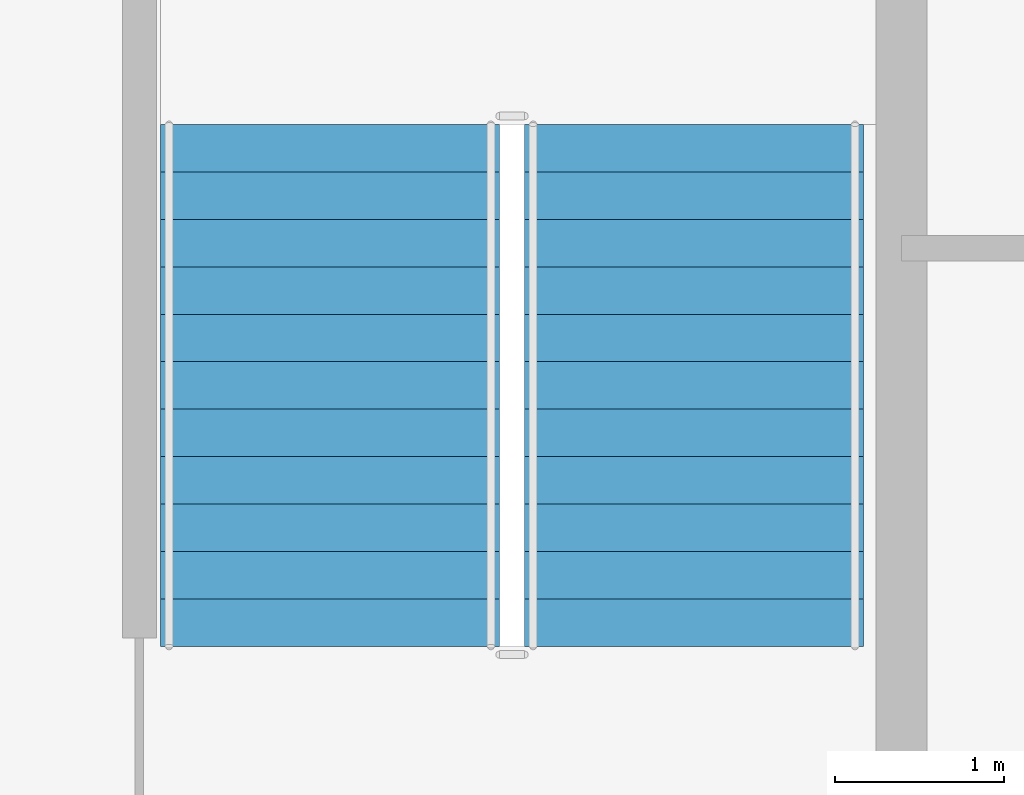
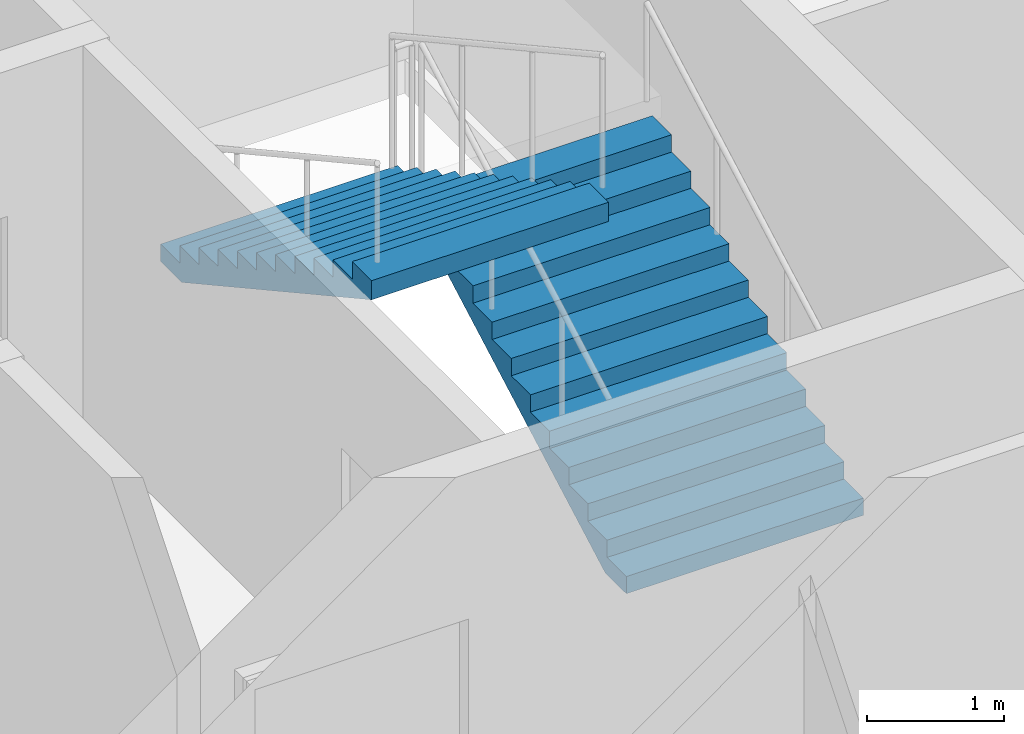
# One storey, part 12 of 19: 2 stair flights, 1 element without a shape of its own.
"""IFC4 building model written with IfcOpenShell, lengths in metres."""

from ifc_helpers import new_model, si_unit, direction, frame, origin, place, context, subcontext, project, spatial, polygons, material, type_object, element, aggregate, save


model = new_model("IFC4")

# Units and contexts
model_context = context("Model", 3, precision=1e-05, world=origin(), true_north=direction((0.0, 1.0)))
body_context = subcontext(model_context, "Body", "Model", "MODEL_VIEW")
ifc_project = project(units=[si_unit("LENGTHUNIT", "METRE"), si_unit("AREAUNIT", "SQUARE_METRE"), si_unit("VOLUMEUNIT", "CUBIC_METRE"), si_unit("PLANEANGLEUNIT", "RADIAN"), si_unit("MASSUNIT", "GRAM", prefix="KILO")], contexts=[model_context])

# Site, building, storey
site_placement = place(None, origin())
site = spatial("IfcSite", under=ifc_project, at=site_placement, CompositionType="ELEMENT")
building_placement = place(site_placement, origin())
building = spatial("IfcBuilding", under=site, at=building_placement, Name="Caravel Reach Hotel and Residences", CompositionType="ELEMENT")
storey_placement = place(building_placement, frame((0.0, 0.0, 150.60009765625)))
storey = spatial("IfcBuildingStorey", under=building, at=storey_placement, Name="L37", CompositionType="ELEMENT", Elevation=150.60009765625)

# Stair, stair flights
ifc_material_1 = material(Name="Concrete C40", Category="concrete")
stair_type = type_object("IfcStairType", Name="Core stair", PredefinedType="HALF_TURN_STAIR", material=ifc_material_1)
stair_placement = place(storey_placement, origin())
stair = element("IfcStair", 1, at=stair_placement, inside=storey, type_object=stair_type, Name="L37 Exit stair B", PredefinedType="HALF_TURN_STAIR")
ifc_material_2 = material(Name="Concrete C40", Category="concrete")
stair_flight_type = type_object("IfcStairFlightType", Name="Core stair flight", PredefinedType="STRAIGHT", material=ifc_material_2)
stair_flight_1_placement = place(storey_placement, frame((43.77490234375, 24.64990234375, 0.0), z_axis=(0.0, 0.0, 1.0), x_axis=(0.0, 1.0, 0.0)))
stair_flight_1 = element("IfcStairFlight", 2, at=stair_flight_1_placement, type_object=stair_flight_type, Name="ST-B flight 1", NumberOfRisers=12, NumberOfTreads=11, PredefinedType="STRAIGHT", RiserHeight=0.154166667, TreadLength=0.28, context=body_context, shape_type="Tessellation", body=[
    polygons([(0.3107950034306102, 1.0, 0.0), (0.3107950034306102, 0.6666666666666667, 0.0), (0.3107950034306102, 0.33333333333333337, 0.0), (0.3107950034306102, 0.0, 0.0), (0.3107950034306102, -0.33333333333333326, 0.0), (0.3107950034306102, -0.6666666666666667, 0.0), (0.3107950034306102, -1.0, 0.0), (3.081, 1.0, 1.524711087717319), (3.081, 0.6666666666666667, 1.524711087717319), (3.081, 0.33333333333333337, 1.524711087717319), (3.081, 0.0, 1.524711087717319), (3.081, -0.33333333333333326, 1.524711087717319), (3.081, -0.6666666666666667, 1.524711087717319), (3.081, -1.0, 1.524711087717319), (3.081, 1.0, 1.695833337), (3.081, 0.6666666666666667, 1.695833337), (3.081, 0.33333333333333337, 1.695833337), (3.081, 0.0, 1.695833337), (3.081, -0.33333333333333326, 1.695833337), (3.081, -0.6666666666666667, 1.695833337), (3.081, -1.0, 1.695833337), (2.8000000000000003, 1.0, 1.695833337), (2.8000000000000003, 0.6666666666666667, 1.695833337), (2.8000000000000003, 0.33333333333333337, 1.695833337), (2.8000000000000003, 0.0, 1.695833337), (2.8000000000000003, -0.33333333333333326, 1.695833337), (2.8000000000000003, -0.6666666666666667, 1.695833337), (2.8000000000000003, -1.0, 1.695833337), (2.8000000000000003, 1.0, 1.5416666700000001), (2.8000000000000003, 0.6666666666666667, 1.5416666700000001), (2.8000000000000003, 0.33333333333333337, 1.5416666700000001), (2.8000000000000003, 0.0, 1.5416666700000001), (2.8000000000000003, -0.33333333333333326, 1.5416666700000001), (2.8000000000000003, -0.6666666666666667, 1.5416666700000001), (2.8000000000000003, -1.0, 1.5416666700000001), (2.5200000000000005, 1.0, 1.5416666700000001), (2.5200000000000005, 0.6666666666666667, 1.5416666700000001), (2.5200000000000005, 0.33333333333333337, 1.5416666700000001), (2.5200000000000005, 0.0, 1.5416666700000001), (2.5200000000000005, -0.33333333333333326, 1.5416666700000001), (2.5200000000000005, -0.6666666666666667, 1.5416666700000001), (2.5200000000000005, -1.0, 1.5416666700000001), (2.5200000000000005, 1.0, 1.387500003), (2.5200000000000005, 0.6666666666666667, 1.387500003), (2.5200000000000005, 0.33333333333333337, 1.387500003), (2.5200000000000005, 0.0, 1.387500003), (2.5200000000000005, -0.33333333333333326, 1.387500003), (2.5200000000000005, -0.6666666666666667, 1.387500003), (2.5200000000000005, -1.0, 1.387500003), (2.24, 1.0, 1.387500003), (2.24, 0.6666666666666667, 1.387500003), (2.24, 0.33333333333333337, 1.387500003), (2.24, 0.0, 1.387500003), (2.24, -0.33333333333333326, 1.387500003), (2.24, -0.6666666666666667, 1.387500003), (2.24, -1.0, 1.387500003), (2.24, 1.0, 1.233333336), (2.24, 0.6666666666666667, 1.233333336), (2.24, 0.33333333333333337, 1.233333336), (2.24, 0.0, 1.233333336), (2.24, -0.33333333333333326, 1.233333336), (2.24, -0.6666666666666667, 1.233333336), (2.24, -1.0, 1.233333336), (1.9600000000000002, 1.0, 1.233333336), (1.9600000000000002, 0.6666666666666667, 1.233333336), (1.9600000000000002, 0.33333333333333337, 1.233333336), (1.9600000000000002, 0.0, 1.233333336), (1.9600000000000002, -0.33333333333333326, 1.233333336), (1.9600000000000002, -0.6666666666666667, 1.233333336), (1.9600000000000002, -1.0, 1.233333336), (1.9600000000000002, 1.0, 1.0791666690000001), (1.9600000000000002, 0.6666666666666667, 1.0791666690000001), (1.9600000000000002, 0.33333333333333337, 1.0791666690000001), (1.9600000000000002, 0.0, 1.0791666690000001), (1.9600000000000002, -0.33333333333333326, 1.0791666690000001), (1.9600000000000002, -0.6666666666666667, 1.0791666690000001), (1.9600000000000002, -1.0, 1.0791666690000001), (1.6800000000000002, 1.0, 1.0791666690000001), (1.6800000000000002, 0.6666666666666667, 1.0791666690000001), (1.6800000000000002, 0.33333333333333337, 1.0791666690000001), (1.6800000000000002, 0.0, 1.0791666690000001), (1.6800000000000002, -0.33333333333333326, 1.0791666690000001), (1.6800000000000002, -0.6666666666666667, 1.0791666690000001), (1.6800000000000002, -1.0, 1.0791666690000001), (1.6800000000000002, 1.0, 0.925000002), (1.6800000000000002, 0.6666666666666667, 0.925000002), (1.6800000000000002, 0.33333333333333337, 0.925000002), (1.6800000000000002, 0.0, 0.925000002), (1.6800000000000002, -0.33333333333333326, 0.925000002), (1.6800000000000002, -0.6666666666666667, 0.925000002), (1.6800000000000002, -1.0, 0.925000002), (1.4000000000000001, 1.0, 0.925000002), (1.4000000000000001, 0.6666666666666667, 0.925000002), (1.4000000000000001, 0.33333333333333337, 0.925000002), (1.4000000000000001, 0.0, 0.925000002), (1.4000000000000001, -0.33333333333333326, 0.925000002), (1.4000000000000001, -0.6666666666666667, 0.925000002), (1.4000000000000001, -1.0, 0.925000002), (1.4000000000000001, 1.0, 0.7708333350000001), (1.4000000000000001, 0.6666666666666667, 0.7708333350000001), (1.4000000000000001, 0.33333333333333337, 0.7708333350000001), (1.4000000000000001, 0.0, 0.7708333350000001), (1.4000000000000001, -0.33333333333333326, 0.7708333350000001), (1.4000000000000001, -0.6666666666666667, 0.7708333350000001), (1.4000000000000001, -1.0, 0.7708333350000001), (1.12, 1.0, 0.7708333350000001), (1.12, 0.6666666666666667, 0.7708333350000001), (1.12, 0.33333333333333337, 0.7708333350000001), (1.12, 0.0, 0.7708333350000001), (1.12, -0.33333333333333326, 0.7708333350000001), (1.12, -0.6666666666666667, 0.7708333350000001), (1.12, -1.0, 0.7708333350000001), (1.12, 1.0, 0.616666668), (1.12, 0.6666666666666667, 0.616666668), (1.12, 0.33333333333333337, 0.616666668), (1.12, 0.0, 0.616666668), (1.12, -0.33333333333333326, 0.616666668), (1.12, -0.6666666666666667, 0.616666668), (1.12, -1.0, 0.616666668), (0.8400000000000001, 1.0, 0.616666668), (0.8400000000000001, 0.6666666666666667, 0.616666668), (0.8400000000000001, 0.33333333333333337, 0.616666668), (0.8400000000000001, 0.0, 0.616666668), (0.8400000000000001, -0.33333333333333326, 0.616666668), (0.8400000000000001, -0.6666666666666667, 0.616666668), (0.8400000000000001, -1.0, 0.616666668), (0.8400000000000001, 1.0, 0.462500001), (0.8400000000000001, 0.6666666666666667, 0.462500001), (0.8400000000000001, 0.33333333333333337, 0.462500001), (0.8400000000000001, 0.0, 0.462500001), (0.8400000000000001, -0.33333333333333326, 0.462500001), (0.8400000000000001, -0.6666666666666667, 0.462500001), (0.8400000000000001, -1.0, 0.462500001), (0.56, 1.0, 0.462500001), (0.56, 0.6666666666666667, 0.462500001), (0.56, 0.33333333333333337, 0.462500001), (0.56, 0.0, 0.462500001), (0.56, -0.33333333333333326, 0.462500001), (0.56, -0.6666666666666667, 0.462500001), (0.56, -1.0, 0.462500001), (0.56, 1.0, 0.308333334), (0.56, 0.6666666666666667, 0.308333334), (0.56, 0.33333333333333337, 0.308333334), (0.56, 0.0, 0.308333334), (0.56, -0.33333333333333326, 0.308333334), (0.56, -0.6666666666666667, 0.308333334), (0.56, -1.0, 0.308333334), (0.28, 1.0, 0.308333334), (0.28, 0.6666666666666667, 0.308333334), (0.28, 0.33333333333333337, 0.308333334), (0.28, 0.0, 0.308333334), (0.28, -0.33333333333333326, 0.308333334), (0.28, -0.6666666666666667, 0.308333334), (0.28, -1.0, 0.308333334), (0.28, 1.0, 0.154166667), (0.28, 0.6666666666666667, 0.154166667), (0.28, 0.33333333333333337, 0.154166667), (0.28, 0.0, 0.154166667), (0.28, -0.33333333333333326, 0.154166667), (0.28, -0.6666666666666667, 0.154166667), (0.28, -1.0, 0.154166667), (-0.001, 1.0, 0.154166667), (-0.001, 0.6666666666666667, 0.154166667), (-0.001, 0.33333333333333337, 0.154166667), (-0.001, 0.0, 0.154166667), (-0.001, -0.33333333333333326, 0.154166667), (-0.001, -0.6666666666666667, 0.154166667), (-0.001, -1.0, 0.154166667), (-0.001, 1.0, 0.0), (-0.001, 0.6666666666666667, 0.0), (-0.001, 0.33333333333333337, 0.0), (-0.001, 0.0, 0.0), (-0.001, -0.33333333333333326, 0.0), (-0.001, -0.6666666666666667, 0.0), (-0.001, -1.0, 0.0)], [[[169, 162, 155, 148, 141, 134, 127, 120, 113, 106, 99, 92, 85, 78, 71, 64, 57, 50, 43, 36, 29, 22, 15, 8, 1]], [[7, 14, 21, 28, 35, 42, 49, 56, 63, 70, 77, 84, 91, 98, 105, 112, 119, 126, 133, 140, 147, 154, 161, 168, 175]], [[1, 8, 9, 2]], [[2, 9, 10, 3]], [[3, 10, 11, 4]], [[4, 11, 12, 5]], [[5, 12, 13, 6]], [[6, 13, 14, 7]], [[8, 15, 16, 9]], [[9, 16, 17, 10]], [[10, 17, 18, 11]], [[11, 18, 19, 12]], [[12, 19, 20, 13]], [[13, 20, 21, 14]], [[15, 22, 23, 16]], [[16, 23, 24, 17]], [[17, 24, 25, 18]], [[18, 25, 26, 19]], [[19, 26, 27, 20]], [[20, 27, 28, 21]], [[22, 29, 30, 23]], [[23, 30, 31, 24]], [[24, 31, 32, 25]], [[25, 32, 33, 26]], [[26, 33, 34, 27]], [[27, 34, 35, 28]], [[29, 36, 37, 30]], [[30, 37, 38, 31]], [[31, 38, 39, 32]], [[32, 39, 40, 33]], [[33, 40, 41, 34]], [[34, 41, 42, 35]], [[36, 43, 44, 37]], [[37, 44, 45, 38]], [[38, 45, 46, 39]], [[39, 46, 47, 40]], [[40, 47, 48, 41]], [[41, 48, 49, 42]], [[43, 50, 51, 44]], [[44, 51, 52, 45]], [[45, 52, 53, 46]], [[46, 53, 54, 47]], [[47, 54, 55, 48]], [[48, 55, 56, 49]], [[50, 57, 58, 51]], [[51, 58, 59, 52]], [[52, 59, 60, 53]], [[53, 60, 61, 54]], [[54, 61, 62, 55]], [[55, 62, 63, 56]], [[57, 64, 65, 58]], [[58, 65, 66, 59]], [[59, 66, 67, 60]], [[60, 67, 68, 61]], [[61, 68, 69, 62]], [[62, 69, 70, 63]], [[64, 71, 72, 65]], [[65, 72, 73, 66]], [[66, 73, 74, 67]], [[67, 74, 75, 68]], [[68, 75, 76, 69]], [[69, 76, 77, 70]], [[71, 78, 79, 72]], [[72, 79, 80, 73]], [[73, 80, 81, 74]], [[74, 81, 82, 75]], [[75, 82, 83, 76]], [[76, 83, 84, 77]], [[78, 85, 86, 79]], [[79, 86, 87, 80]], [[80, 87, 88, 81]], [[81, 88, 89, 82]], [[82, 89, 90, 83]], [[83, 90, 91, 84]], [[85, 92, 93, 86]], [[86, 93, 94, 87]], [[87, 94, 95, 88]], [[88, 95, 96, 89]], [[89, 96, 97, 90]], [[90, 97, 98, 91]], [[92, 99, 100, 93]], [[93, 100, 101, 94]], [[94, 101, 102, 95]], [[95, 102, 103, 96]], [[96, 103, 104, 97]], [[97, 104, 105, 98]], [[99, 106, 107, 100]], [[100, 107, 108, 101]], [[101, 108, 109, 102]], [[102, 109, 110, 103]], [[103, 110, 111, 104]], [[104, 111, 112, 105]], [[106, 113, 114, 107]], [[107, 114, 115, 108]], [[108, 115, 116, 109]], [[109, 116, 117, 110]], [[110, 117, 118, 111]], [[111, 118, 119, 112]], [[113, 120, 121, 114]], [[114, 121, 122, 115]], [[115, 122, 123, 116]], [[116, 123, 124, 117]], [[117, 124, 125, 118]], [[118, 125, 126, 119]], [[120, 127, 128, 121]], [[121, 128, 129, 122]], [[122, 129, 130, 123]], [[123, 130, 131, 124]], [[124, 131, 132, 125]], [[125, 132, 133, 126]], [[127, 134, 135, 128]], [[128, 135, 136, 129]], [[129, 136, 137, 130]], [[130, 137, 138, 131]], [[131, 138, 139, 132]], [[132, 139, 140, 133]], [[134, 141, 142, 135]], [[135, 142, 143, 136]], [[136, 143, 144, 137]], [[137, 144, 145, 138]], [[138, 145, 146, 139]], [[139, 146, 147, 140]], [[141, 148, 149, 142]], [[142, 149, 150, 143]], [[143, 150, 151, 144]], [[144, 151, 152, 145]], [[145, 152, 153, 146]], [[146, 153, 154, 147]], [[148, 155, 156, 149]], [[149, 156, 157, 150]], [[150, 157, 158, 151]], [[151, 158, 159, 152]], [[152, 159, 160, 153]], [[153, 160, 161, 154]], [[155, 162, 163, 156]], [[156, 163, 164, 157]], [[157, 164, 165, 158]], [[158, 165, 166, 159]], [[159, 166, 167, 160]], [[160, 167, 168, 161]], [[162, 169, 170, 163]], [[163, 170, 171, 164]], [[164, 171, 172, 165]], [[165, 172, 173, 166]], [[166, 173, 174, 167]], [[167, 174, 175, 168]], [[169, 1, 2, 170]], [[170, 2, 3, 171]], [[171, 3, 4, 172]], [[172, 4, 5, 173]], [[173, 5, 6, 174]], [[174, 6, 7, 175]]], closed=True),
])
stair_flight_2_placement = place(storey_placement, frame((41.625, 27.72998046875, 1.849853515625), z_axis=(0.0, 0.0, 1.0), x_axis=(0.0, -1.0, 0.0)))
stair_flight_2 = element("IfcStairFlight", 3, at=stair_flight_2_placement, type_object=stair_flight_type, Name="ST-B flight 2", NumberOfRisers=12, NumberOfTreads=11, PredefinedType="STRAIGHT", RiserHeight=0.154166667, TreadLength=0.28, context=body_context, shape_type="Tessellation", body=[
    polygons([(0.3107950034306102, 1.0, 0.0), (0.3107950034306102, 0.6666666666666667, 0.0), (0.3107950034306102, 0.33333333333333337, 0.0), (0.3107950034306102, 0.0, 0.0), (0.3107950034306102, -0.33333333333333326, 0.0), (0.3107950034306102, -0.6666666666666667, 0.0), (0.3107950034306102, -1.0, 0.0), (3.081, 1.0, 1.524711087717319), (3.081, 0.6666666666666667, 1.524711087717319), (3.081, 0.33333333333333337, 1.524711087717319), (3.081, 0.0, 1.524711087717319), (3.081, -0.33333333333333326, 1.524711087717319), (3.081, -0.6666666666666667, 1.524711087717319), (3.081, -1.0, 1.524711087717319), (3.081, 1.0, 1.695833337), (3.081, 0.6666666666666667, 1.695833337), (3.081, 0.33333333333333337, 1.695833337), (3.081, 0.0, 1.695833337), (3.081, -0.33333333333333326, 1.695833337), (3.081, -0.6666666666666667, 1.695833337), (3.081, -1.0, 1.695833337), (2.8000000000000003, 1.0, 1.695833337), (2.8000000000000003, 0.6666666666666667, 1.695833337), (2.8000000000000003, 0.33333333333333337, 1.695833337), (2.8000000000000003, 0.0, 1.695833337), (2.8000000000000003, -0.33333333333333326, 1.695833337), (2.8000000000000003, -0.6666666666666667, 1.695833337), (2.8000000000000003, -1.0, 1.695833337), (2.8000000000000003, 1.0, 1.5416666700000001), (2.8000000000000003, 0.6666666666666667, 1.5416666700000001), (2.8000000000000003, 0.33333333333333337, 1.5416666700000001), (2.8000000000000003, 0.0, 1.5416666700000001), (2.8000000000000003, -0.33333333333333326, 1.5416666700000001), (2.8000000000000003, -0.6666666666666667, 1.5416666700000001), (2.8000000000000003, -1.0, 1.5416666700000001), (2.5200000000000005, 1.0, 1.5416666700000001), (2.5200000000000005, 0.6666666666666667, 1.5416666700000001), (2.5200000000000005, 0.33333333333333337, 1.5416666700000001), (2.5200000000000005, 0.0, 1.5416666700000001), (2.5200000000000005, -0.33333333333333326, 1.5416666700000001), (2.5200000000000005, -0.6666666666666667, 1.5416666700000001), (2.5200000000000005, -1.0, 1.5416666700000001), (2.5200000000000005, 1.0, 1.387500003), (2.5200000000000005, 0.6666666666666667, 1.387500003), (2.5200000000000005, 0.33333333333333337, 1.387500003), (2.5200000000000005, 0.0, 1.387500003), (2.5200000000000005, -0.33333333333333326, 1.387500003), (2.5200000000000005, -0.6666666666666667, 1.387500003), (2.5200000000000005, -1.0, 1.387500003), (2.24, 1.0, 1.387500003), (2.24, 0.6666666666666667, 1.387500003), (2.24, 0.33333333333333337, 1.387500003), (2.24, 0.0, 1.387500003), (2.24, -0.33333333333333326, 1.387500003), (2.24, -0.6666666666666667, 1.387500003), (2.24, -1.0, 1.387500003), (2.24, 1.0, 1.233333336), (2.24, 0.6666666666666667, 1.233333336), (2.24, 0.33333333333333337, 1.233333336), (2.24, 0.0, 1.233333336), (2.24, -0.33333333333333326, 1.233333336), (2.24, -0.6666666666666667, 1.233333336), (2.24, -1.0, 1.233333336), (1.9600000000000002, 1.0, 1.233333336), (1.9600000000000002, 0.6666666666666667, 1.233333336), (1.9600000000000002, 0.33333333333333337, 1.233333336), (1.9600000000000002, 0.0, 1.233333336), (1.9600000000000002, -0.33333333333333326, 1.233333336), (1.9600000000000002, -0.6666666666666667, 1.233333336), (1.9600000000000002, -1.0, 1.233333336), (1.9600000000000002, 1.0, 1.0791666690000001), (1.9600000000000002, 0.6666666666666667, 1.0791666690000001), (1.9600000000000002, 0.33333333333333337, 1.0791666690000001), (1.9600000000000002, 0.0, 1.0791666690000001), (1.9600000000000002, -0.33333333333333326, 1.0791666690000001), (1.9600000000000002, -0.6666666666666667, 1.0791666690000001), (1.9600000000000002, -1.0, 1.0791666690000001), (1.6800000000000002, 1.0, 1.0791666690000001), (1.6800000000000002, 0.6666666666666667, 1.0791666690000001), (1.6800000000000002, 0.33333333333333337, 1.0791666690000001), (1.6800000000000002, 0.0, 1.0791666690000001), (1.6800000000000002, -0.33333333333333326, 1.0791666690000001), (1.6800000000000002, -0.6666666666666667, 1.0791666690000001), (1.6800000000000002, -1.0, 1.0791666690000001), (1.6800000000000002, 1.0, 0.925000002), (1.6800000000000002, 0.6666666666666667, 0.925000002), (1.6800000000000002, 0.33333333333333337, 0.925000002), (1.6800000000000002, 0.0, 0.925000002), (1.6800000000000002, -0.33333333333333326, 0.925000002), (1.6800000000000002, -0.6666666666666667, 0.925000002), (1.6800000000000002, -1.0, 0.925000002), (1.4000000000000001, 1.0, 0.925000002), (1.4000000000000001, 0.6666666666666667, 0.925000002), (1.4000000000000001, 0.33333333333333337, 0.925000002), (1.4000000000000001, 0.0, 0.925000002), (1.4000000000000001, -0.33333333333333326, 0.925000002), (1.4000000000000001, -0.6666666666666667, 0.925000002), (1.4000000000000001, -1.0, 0.925000002), (1.4000000000000001, 1.0, 0.7708333350000001), (1.4000000000000001, 0.6666666666666667, 0.7708333350000001), (1.4000000000000001, 0.33333333333333337, 0.7708333350000001), (1.4000000000000001, 0.0, 0.7708333350000001), (1.4000000000000001, -0.33333333333333326, 0.7708333350000001), (1.4000000000000001, -0.6666666666666667, 0.7708333350000001), (1.4000000000000001, -1.0, 0.7708333350000001), (1.12, 1.0, 0.7708333350000001), (1.12, 0.6666666666666667, 0.7708333350000001), (1.12, 0.33333333333333337, 0.7708333350000001), (1.12, 0.0, 0.7708333350000001), (1.12, -0.33333333333333326, 0.7708333350000001), (1.12, -0.6666666666666667, 0.7708333350000001), (1.12, -1.0, 0.7708333350000001), (1.12, 1.0, 0.616666668), (1.12, 0.6666666666666667, 0.616666668), (1.12, 0.33333333333333337, 0.616666668), (1.12, 0.0, 0.616666668), (1.12, -0.33333333333333326, 0.616666668), (1.12, -0.6666666666666667, 0.616666668), (1.12, -1.0, 0.616666668), (0.8400000000000001, 1.0, 0.616666668), (0.8400000000000001, 0.6666666666666667, 0.616666668), (0.8400000000000001, 0.33333333333333337, 0.616666668), (0.8400000000000001, 0.0, 0.616666668), (0.8400000000000001, -0.33333333333333326, 0.616666668), (0.8400000000000001, -0.6666666666666667, 0.616666668), (0.8400000000000001, -1.0, 0.616666668), (0.8400000000000001, 1.0, 0.462500001), (0.8400000000000001, 0.6666666666666667, 0.462500001), (0.8400000000000001, 0.33333333333333337, 0.462500001), (0.8400000000000001, 0.0, 0.462500001), (0.8400000000000001, -0.33333333333333326, 0.462500001), (0.8400000000000001, -0.6666666666666667, 0.462500001), (0.8400000000000001, -1.0, 0.462500001), (0.56, 1.0, 0.462500001), (0.56, 0.6666666666666667, 0.462500001), (0.56, 0.33333333333333337, 0.462500001), (0.56, 0.0, 0.462500001), (0.56, -0.33333333333333326, 0.462500001), (0.56, -0.6666666666666667, 0.462500001), (0.56, -1.0, 0.462500001), (0.56, 1.0, 0.308333334), (0.56, 0.6666666666666667, 0.308333334), (0.56, 0.33333333333333337, 0.308333334), (0.56, 0.0, 0.308333334), (0.56, -0.33333333333333326, 0.308333334), (0.56, -0.6666666666666667, 0.308333334), (0.56, -1.0, 0.308333334), (0.28, 1.0, 0.308333334), (0.28, 0.6666666666666667, 0.308333334), (0.28, 0.33333333333333337, 0.308333334), (0.28, 0.0, 0.308333334), (0.28, -0.33333333333333326, 0.308333334), (0.28, -0.6666666666666667, 0.308333334), (0.28, -1.0, 0.308333334), (0.28, 1.0, 0.154166667), (0.28, 0.6666666666666667, 0.154166667), (0.28, 0.33333333333333337, 0.154166667), (0.28, 0.0, 0.154166667), (0.28, -0.33333333333333326, 0.154166667), (0.28, -0.6666666666666667, 0.154166667), (0.28, -1.0, 0.154166667), (-0.001, 1.0, 0.154166667), (-0.001, 0.6666666666666667, 0.154166667), (-0.001, 0.33333333333333337, 0.154166667), (-0.001, 0.0, 0.154166667), (-0.001, -0.33333333333333326, 0.154166667), (-0.001, -0.6666666666666667, 0.154166667), (-0.001, -1.0, 0.154166667), (-0.001, 1.0, 0.0), (-0.001, 0.6666666666666667, 0.0), (-0.001, 0.33333333333333337, 0.0), (-0.001, 0.0, 0.0), (-0.001, -0.33333333333333326, 0.0), (-0.001, -0.6666666666666667, 0.0), (-0.001, -1.0, 0.0)], [[[169, 162, 155, 148, 141, 134, 127, 120, 113, 106, 99, 92, 85, 78, 71, 64, 57, 50, 43, 36, 29, 22, 15, 8, 1]], [[7, 14, 21, 28, 35, 42, 49, 56, 63, 70, 77, 84, 91, 98, 105, 112, 119, 126, 133, 140, 147, 154, 161, 168, 175]], [[1, 8, 9, 2]], [[2, 9, 10, 3]], [[3, 10, 11, 4]], [[4, 11, 12, 5]], [[5, 12, 13, 6]], [[6, 13, 14, 7]], [[8, 15, 16, 9]], [[9, 16, 17, 10]], [[10, 17, 18, 11]], [[11, 18, 19, 12]], [[12, 19, 20, 13]], [[13, 20, 21, 14]], [[15, 22, 23, 16]], [[16, 23, 24, 17]], [[17, 24, 25, 18]], [[18, 25, 26, 19]], [[19, 26, 27, 20]], [[20, 27, 28, 21]], [[22, 29, 30, 23]], [[23, 30, 31, 24]], [[24, 31, 32, 25]], [[25, 32, 33, 26]], [[26, 33, 34, 27]], [[27, 34, 35, 28]], [[29, 36, 37, 30]], [[30, 37, 38, 31]], [[31, 38, 39, 32]], [[32, 39, 40, 33]], [[33, 40, 41, 34]], [[34, 41, 42, 35]], [[36, 43, 44, 37]], [[37, 44, 45, 38]], [[38, 45, 46, 39]], [[39, 46, 47, 40]], [[40, 47, 48, 41]], [[41, 48, 49, 42]], [[43, 50, 51, 44]], [[44, 51, 52, 45]], [[45, 52, 53, 46]], [[46, 53, 54, 47]], [[47, 54, 55, 48]], [[48, 55, 56, 49]], [[50, 57, 58, 51]], [[51, 58, 59, 52]], [[52, 59, 60, 53]], [[53, 60, 61, 54]], [[54, 61, 62, 55]], [[55, 62, 63, 56]], [[57, 64, 65, 58]], [[58, 65, 66, 59]], [[59, 66, 67, 60]], [[60, 67, 68, 61]], [[61, 68, 69, 62]], [[62, 69, 70, 63]], [[64, 71, 72, 65]], [[65, 72, 73, 66]], [[66, 73, 74, 67]], [[67, 74, 75, 68]], [[68, 75, 76, 69]], [[69, 76, 77, 70]], [[71, 78, 79, 72]], [[72, 79, 80, 73]], [[73, 80, 81, 74]], [[74, 81, 82, 75]], [[75, 82, 83, 76]], [[76, 83, 84, 77]], [[78, 85, 86, 79]], [[79, 86, 87, 80]], [[80, 87, 88, 81]], [[81, 88, 89, 82]], [[82, 89, 90, 83]], [[83, 90, 91, 84]], [[85, 92, 93, 86]], [[86, 93, 94, 87]], [[87, 94, 95, 88]], [[88, 95, 96, 89]], [[89, 96, 97, 90]], [[90, 97, 98, 91]], [[92, 99, 100, 93]], [[93, 100, 101, 94]], [[94, 101, 102, 95]], [[95, 102, 103, 96]], [[96, 103, 104, 97]], [[97, 104, 105, 98]], [[99, 106, 107, 100]], [[100, 107, 108, 101]], [[101, 108, 109, 102]], [[102, 109, 110, 103]], [[103, 110, 111, 104]], [[104, 111, 112, 105]], [[106, 113, 114, 107]], [[107, 114, 115, 108]], [[108, 115, 116, 109]], [[109, 116, 117, 110]], [[110, 117, 118, 111]], [[111, 118, 119, 112]], [[113, 120, 121, 114]], [[114, 121, 122, 115]], [[115, 122, 123, 116]], [[116, 123, 124, 117]], [[117, 124, 125, 118]], [[118, 125, 126, 119]], [[120, 127, 128, 121]], [[121, 128, 129, 122]], [[122, 129, 130, 123]], [[123, 130, 131, 124]], [[124, 131, 132, 125]], [[125, 132, 133, 126]], [[127, 134, 135, 128]], [[128, 135, 136, 129]], [[129, 136, 137, 130]], [[130, 137, 138, 131]], [[131, 138, 139, 132]], [[132, 139, 140, 133]], [[134, 141, 142, 135]], [[135, 142, 143, 136]], [[136, 143, 144, 137]], [[137, 144, 145, 138]], [[138, 145, 146, 139]], [[139, 146, 147, 140]], [[141, 148, 149, 142]], [[142, 149, 150, 143]], [[143, 150, 151, 144]], [[144, 151, 152, 145]], [[145, 152, 153, 146]], [[146, 153, 154, 147]], [[148, 155, 156, 149]], [[149, 156, 157, 150]], [[150, 157, 158, 151]], [[151, 158, 159, 152]], [[152, 159, 160, 153]], [[153, 160, 161, 154]], [[155, 162, 163, 156]], [[156, 163, 164, 157]], [[157, 164, 165, 158]], [[158, 165, 166, 159]], [[159, 166, 167, 160]], [[160, 167, 168, 161]], [[162, 169, 170, 163]], [[163, 170, 171, 164]], [[164, 171, 172, 165]], [[165, 172, 173, 166]], [[166, 173, 174, 167]], [[167, 174, 175, 168]], [[169, 1, 2, 170]], [[170, 2, 3, 171]], [[171, 3, 4, 172]], [[172, 4, 5, 173]], [[173, 5, 6, 174]], [[174, 6, 7, 175]]], closed=True),
])
aggregate(stair, [stair_flight_1, stair_flight_2])

save(model, "model.ifc")
